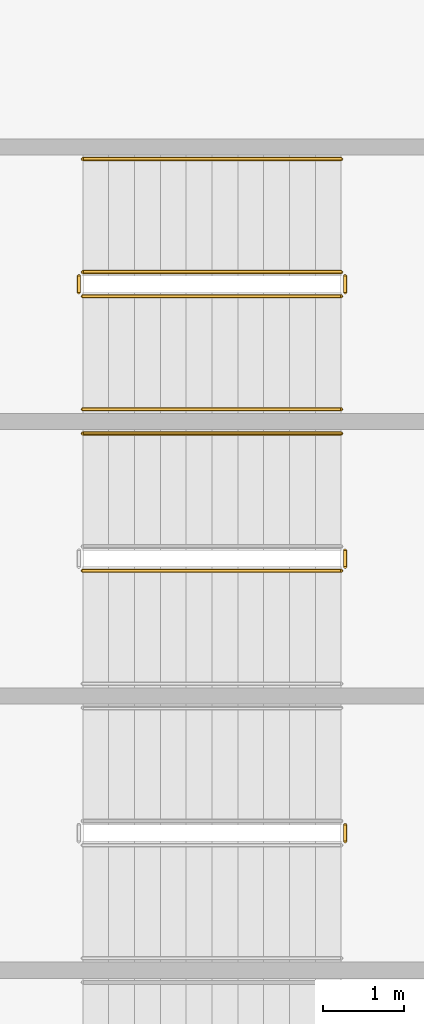
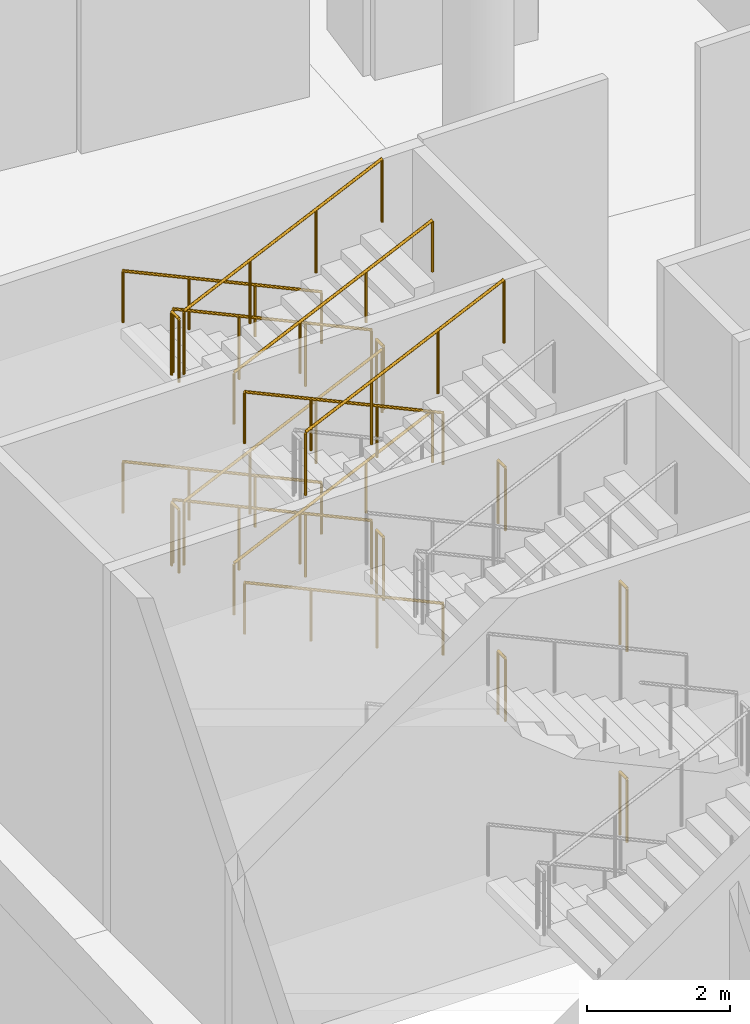
# One storey, part 224 of 255: 19 railings.
"""IFC4 building model written with IfcOpenShell, lengths in metres."""

from ifc_helpers import new_model, si_unit, direction, frame, origin, origin_2d, place, context, subcontext, project, spatial, circle, extrude, material, type_object, element, save


model = new_model("IFC4")

# Units and contexts
model_context = context("Model", 3, precision=1e-05, world=origin(), true_north=direction((0.0, 1.0)))
body_context = subcontext(model_context, "Body", "Model", "MODEL_VIEW")
ifc_project = project(units=[si_unit("LENGTHUNIT", "METRE"), si_unit("AREAUNIT", "SQUARE_METRE"), si_unit("VOLUMEUNIT", "CUBIC_METRE"), si_unit("PLANEANGLEUNIT", "RADIAN"), si_unit("MASSUNIT", "GRAM", prefix="KILO")], contexts=[model_context])

# Site, building, storey
site_placement = place(None, origin())
site = spatial("IfcSite", under=ifc_project, at=site_placement, CompositionType="ELEMENT")
building_placement = place(site_placement, origin())
building = spatial("IfcBuilding", under=site, at=building_placement, Name="Meseta Stadium", CompositionType="ELEMENT")
storey_placement = place(building_placement, origin())
storey = spatial("IfcBuildingStorey", under=building, at=storey_placement, Name="L00", CompositionType="ELEMENT", Elevation=0.0)

# Railings
ifc_material_1 = material(Name="Steel S355", Category="steel")
railing_type_1 = type_object("IfcRailingType", Name="Stair guard 1100", PredefinedType="GUARDRAIL", material=ifc_material_1)
railing_1_placement = place(storey_placement, frame((-90.300048828125, 36.5, 0.147705078125)))
element("IfcRailing", 1, at=railing_1_placement, inside=storey, type_object=railing_type_1, Name="ST61 L00 guard 1", PredefinedType="GUARDRAIL", context=body_context, shape_type="SweptSolid", body=[
    extrude(circle(Radius=0.02392578125, at=origin_2d()), frame((0.0, 0.0, 1.076171875), z_axis=(-0.907916804346, 0.0, 0.419150422148), x_axis=(0.0, -1.0, 0.0)), (0.0, 0.0, 1.0), 3.5244140625),
    extrude(circle(Radius=0.02099609375, at=origin_2d()), origin(), (0.0, 0.0, 1.0), 1.052001953125),
    extrude(circle(Radius=0.02099609375, at=origin_2d()), frame((-1.066650390625, 0.0, 0.492431640625)), (0.0, 0.0, 1.0), 1.052001953125),
    extrude(circle(Radius=0.02099609375, at=origin_2d()), frame((-2.13330078125, 0.0, 0.98486328125)), (0.0, 0.0, 1.0), 1.052001953125),
    extrude(circle(Radius=0.02099609375, at=origin_2d()), frame((-3.199951171875, 0.0, 1.477294921875)), (0.0, 0.0, 1.0), 1.052001953125),
])
railing_2_placement = place(storey_placement, frame((-93.550048828125, 36.449951171875, 1.625)))
element("IfcRailing", 2, at=railing_2_placement, inside=storey, type_object=railing_type_1, Name="ST61 L00 guard 2", PredefinedType="GUARDRAIL", context=body_context, shape_type="SweptSolid", body=[
    extrude(circle(Radius=0.02392578125, at=origin_2d()), frame((0.0, 0.0, 1.076171875), z_axis=(0.0, -1.0, 0.0), x_axis=(1.0, 0.0, 0.0)), (0.0, 0.0, 1.0), 0.199951171875),
    extrude(circle(Radius=0.02099609375, at=origin_2d()), origin(), (0.0, 0.0, 1.0), 1.052001953125),
    extrude(circle(Radius=0.02099609375, at=origin_2d()), frame((0.0, -0.199951171875, 0.0)), (0.0, 0.0, 1.0), 1.052001953125),
])
railing_3_placement = place(storey_placement, frame((-93.5, 36.199951171875, 1.772705078125)))
element("IfcRailing", 3, at=railing_3_placement, inside=storey, type_object=railing_type_1, Name="ST61 L00 guard 3", PredefinedType="GUARDRAIL", context=body_context, shape_type="SweptSolid", body=[
    extrude(circle(Radius=0.02392578125, at=origin_2d()), frame((0.0, 0.0, 1.076171875), z_axis=(0.907916804346, 0.0, 0.419150422148), x_axis=(0.0, 1.0, 0.0)), (0.0, 0.0, 1.0), 3.5244140625),
    extrude(circle(Radius=0.02099609375, at=origin_2d()), origin(), (0.0, 0.0, 1.0), 1.052001953125),
    extrude(circle(Radius=0.02099609375, at=origin_2d()), frame((1.066650390625, 0.0, 0.492431640625)), (0.0, 0.0, 1.0), 1.052001953125),
    extrude(circle(Radius=0.02099609375, at=origin_2d()), frame((2.13330078125, 0.0, 0.98486328125)), (0.0, 0.0, 1.0), 1.052001953125),
    extrude(circle(Radius=0.02099609375, at=origin_2d()), frame((3.199951171875, 0.0, 1.477294921875)), (0.0, 0.0, 1.0), 1.052001953125),
])
railing_4_placement = place(storey_placement, frame((-90.25, 36.449951171875, 3.25)))
element("IfcRailing", 4, at=railing_4_placement, inside=storey, type_object=railing_type_1, Name="ST61 L00 guard 4", PredefinedType="GUARDRAIL", context=body_context, shape_type="SweptSolid", body=[
    extrude(circle(Radius=0.02392578125, at=origin_2d()), frame((0.0, 0.0, 1.076171875), z_axis=(0.0, -1.0, 0.0), x_axis=(1.0, 0.0, 0.0)), (0.0, 0.0, 1.0), 0.199951171875),
    extrude(circle(Radius=0.02099609375, at=origin_2d()), origin(), (0.0, 0.0, 1.0), 1.052001953125),
    extrude(circle(Radius=0.02099609375, at=origin_2d()), frame((0.0, -0.199951171875, 0.0)), (0.0, 0.0, 1.0), 1.052001953125),
])
railing_5_placement = place(storey_placement, frame((-90.300048828125, 36.5, 3.397705078125)))
element("IfcRailing", 5, at=railing_5_placement, inside=storey, type_object=railing_type_1, Name="ST61 L00 guard 5", PredefinedType="GUARDRAIL", context=body_context, shape_type="SweptSolid", body=[
    extrude(circle(Radius=0.02392578125, at=origin_2d()), frame((0.0, 0.0, 1.076171875), z_axis=(-0.907916804346, 0.0, 0.419150422148), x_axis=(0.0, -1.0, 0.0)), (0.0, 0.0, 1.0), 3.5244140625),
    extrude(circle(Radius=0.02099609375, at=origin_2d()), origin(), (0.0, 0.0, 1.0), 1.052001953125),
    extrude(circle(Radius=0.02099609375, at=origin_2d()), frame((-1.066650390625, 0.0, 0.492431640625)), (0.0, 0.0, 1.0), 1.052001953125),
    extrude(circle(Radius=0.02099609375, at=origin_2d()), frame((-2.13330078125, 0.0, 0.98486328125)), (0.0, 0.0, 1.0), 1.052001953125),
    extrude(circle(Radius=0.02099609375, at=origin_2d()), frame((-3.199951171875, 0.0, 1.477294921875)), (0.0, 0.0, 1.0), 1.052001953125),
])
railing_6_placement = place(storey_placement, frame((-93.550048828125, 36.449951171875, 4.875)))
element("IfcRailing", 6, at=railing_6_placement, inside=storey, type_object=railing_type_1, Name="ST61 L00 guard 6", PredefinedType="GUARDRAIL", context=body_context, shape_type="SweptSolid", body=[
    extrude(circle(Radius=0.02392578125, at=origin_2d()), frame((0.0, 0.0, 1.076171875), z_axis=(0.0, -1.0, 0.0), x_axis=(1.0, 0.0, 0.0)), (0.0, 0.0, 1.0), 0.199951171875),
    extrude(circle(Radius=0.02099609375, at=origin_2d()), origin(), (0.0, 0.0, 1.0), 1.052001953125),
    extrude(circle(Radius=0.02099609375, at=origin_2d()), frame((0.0, -0.199951171875, 0.0)), (0.0, 0.0, 1.0), 1.052001953125),
])
railing_7_placement = place(storey_placement, frame((-93.5, 36.199951171875, 5.022705078125)))
element("IfcRailing", 7, at=railing_7_placement, inside=storey, type_object=railing_type_1, Name="ST61 L00 guard 7", PredefinedType="GUARDRAIL", context=body_context, shape_type="SweptSolid", body=[
    extrude(circle(Radius=0.02392578125, at=origin_2d()), frame((0.0, 0.0, 1.076171875), z_axis=(0.907916804346, 0.0, 0.419150422148), x_axis=(0.0, 1.0, 0.0)), (0.0, 0.0, 1.0), 3.5244140625),
    extrude(circle(Radius=0.02099609375, at=origin_2d()), origin(), (0.0, 0.0, 1.0), 1.052001953125),
    extrude(circle(Radius=0.02099609375, at=origin_2d()), frame((1.066650390625, 0.0, 0.492431640625)), (0.0, 0.0, 1.0), 1.052001953125),
    extrude(circle(Radius=0.02099609375, at=origin_2d()), frame((2.13330078125, 0.0, 0.98486328125)), (0.0, 0.0, 1.0), 1.052001953125),
    extrude(circle(Radius=0.02099609375, at=origin_2d()), frame((3.199951171875, 0.0, 1.477294921875)), (0.0, 0.0, 1.0), 1.052001953125),
])
for number, where, name in (
    (8, (-90.25, 36.449951171875, 0.0), "ST61 L00 guard 8"),
    (9, (-90.25, 33.050048828125, 3.25), "ST62 L00 guard 4"),
):
    element("IfcRailing", number, at=place(storey_placement, frame(where)), inside=storey, type_object=railing_type_1, Name=name, PredefinedType="GUARDRAIL", context=body_context, shape_type="SweptSolid", body=[
        extrude(circle(Radius=0.02392578125, at=origin_2d()), frame((0.0, 0.0, 1.076171875), z_axis=(0.0, -1.0, 0.0), x_axis=(1.0, 0.0, 0.0)), (0.0, 0.0, 1.0), 0.199951171875),
        extrude(circle(Radius=0.02099609375, at=origin_2d()), origin(), (0.0, 0.0, 1.0), 1.052001953125),
        extrude(circle(Radius=0.02099609375, at=origin_2d()), frame((0.0, -0.199951171875, 0.0)), (0.0, 0.0, 1.0), 1.052001953125),
    ])
railing_8_placement = place(storey_placement, frame((-93.5, 32.800048828125, 5.022705078125)))
element("IfcRailing", 10, at=railing_8_placement, inside=storey, type_object=railing_type_1, Name="ST62 L00 guard 7", PredefinedType="GUARDRAIL", context=body_context, shape_type="SweptSolid", body=[
    extrude(circle(Radius=0.02392578125, at=origin_2d()), frame((0.0, 0.0, 1.076171875), z_axis=(0.907916804346, 0.0, 0.419150422148), x_axis=(0.0, 1.0, 0.0)), (0.0, 0.0, 1.0), 3.5244140625),
    extrude(circle(Radius=0.02099609375, at=origin_2d()), origin(), (0.0, 0.0, 1.0), 1.052001953125),
    extrude(circle(Radius=0.02099609375, at=origin_2d()), frame((1.066650390625, 0.0, 0.492431640625)), (0.0, 0.0, 1.0), 1.052001953125),
    extrude(circle(Radius=0.02099609375, at=origin_2d()), frame((2.13330078125, 0.0, 0.98486328125)), (0.0, 0.0, 1.0), 1.052001953125),
    extrude(circle(Radius=0.02099609375, at=origin_2d()), frame((3.199951171875, 0.0, 1.477294921875)), (0.0, 0.0, 1.0), 1.052001953125),
])
for number, where, name in (
    (11, (-90.25, 33.050048828125, 0.0), "ST62 L00 guard 8"),
    (12, (-90.25, 29.64990234375, 3.25), "ST63 L00 guard 4"),
    (13, (-90.25, 29.64990234375, 0.0), "ST63 L00 guard 8"),
):
    element("IfcRailing", number, at=place(storey_placement, frame(where)), inside=storey, type_object=railing_type_1, Name=name, PredefinedType="GUARDRAIL", context=body_context, shape_type="SweptSolid", body=[
        extrude(circle(Radius=0.02392578125, at=origin_2d()), frame((0.0, 0.0, 1.076171875), z_axis=(0.0, -1.0, 0.0), x_axis=(1.0, 0.0, 0.0)), (0.0, 0.0, 1.0), 0.199951171875),
        extrude(circle(Radius=0.02099609375, at=origin_2d()), origin(), (0.0, 0.0, 1.0), 1.052001953125),
        extrude(circle(Radius=0.02099609375, at=origin_2d()), frame((0.0, -0.199951171875, 0.0)), (0.0, 0.0, 1.0), 1.052001953125),
    ])
ifc_material_2 = material(Name="Steel S355", Category="steel")
railing_type_2 = type_object("IfcRailingType", Name="Stair handrail 900", PredefinedType="HANDRAIL", material=ifc_material_2)
railing_9_placement = place(storey_placement, frame((-90.300048828125, 37.89990234375, 0.147705078125)))
element("IfcRailing", 14, at=railing_9_placement, inside=storey, type_object=railing_type_2, Name="ST61 L00 handrail 1", PredefinedType="HANDRAIL", context=body_context, shape_type="SweptSolid", body=[
    extrude(circle(Radius=0.02392578125, at=origin_2d()), frame((0.0, 0.0, 0.8759765625), z_axis=(-0.907916804346, 0.0, 0.419150422148), x_axis=(0.0, -1.0, 0.0)), (0.0, 0.0, 1.0), 3.5244140625),
    extrude(circle(Radius=0.02099609375, at=origin_2d()), origin(), (0.0, 0.0, 1.0), 0.851806640625),
    extrude(circle(Radius=0.02099609375, at=origin_2d()), frame((-1.066650390625, 0.0, 0.492431640625)), (0.0, 0.0, 1.0), 0.851806640625),
    extrude(circle(Radius=0.02099609375, at=origin_2d()), frame((-2.13330078125, 0.0, 0.98486328125)), (0.0, 0.0, 1.0), 0.851806640625),
    extrude(circle(Radius=0.02099609375, at=origin_2d()), frame((-3.199951171875, 0.0, 1.477294921875)), (0.0, 0.0, 1.0), 0.851806640625),
])
railing_10_placement = place(storey_placement, frame((-93.5, 34.800048828125, 1.772705078125)))
element("IfcRailing", 15, at=railing_10_placement, inside=storey, type_object=railing_type_2, Name="ST61 L00 handrail 2", PredefinedType="HANDRAIL", context=body_context, shape_type="SweptSolid", body=[
    extrude(circle(Radius=0.02392578125, at=origin_2d()), frame((0.0, 0.0, 0.8759765625), z_axis=(0.907916804346, 0.0, 0.419150422148), x_axis=(0.0, 1.0, 0.0)), (0.0, 0.0, 1.0), 3.5244140625),
    extrude(circle(Radius=0.02099609375, at=origin_2d()), origin(), (0.0, 0.0, 1.0), 0.851806640625),
    extrude(circle(Radius=0.02099609375, at=origin_2d()), frame((1.066650390625, 0.0, 0.492431640625)), (0.0, 0.0, 1.0), 0.851806640625),
    extrude(circle(Radius=0.02099609375, at=origin_2d()), frame((2.13330078125, 0.0, 0.98486328125)), (0.0, 0.0, 1.0), 0.851806640625),
    extrude(circle(Radius=0.02099609375, at=origin_2d()), frame((3.199951171875, 0.0, 1.477294921875)), (0.0, 0.0, 1.0), 0.851806640625),
])
railing_11_placement = place(storey_placement, frame((-90.300048828125, 37.89990234375, 3.397705078125)))
element("IfcRailing", 16, at=railing_11_placement, inside=storey, type_object=railing_type_2, Name="ST61 L00 handrail 3", PredefinedType="HANDRAIL", context=body_context, shape_type="SweptSolid", body=[
    extrude(circle(Radius=0.02392578125, at=origin_2d()), frame((0.0, 0.0, 0.8759765625), z_axis=(-0.907916804346, 0.0, 0.419150422148), x_axis=(0.0, -1.0, 0.0)), (0.0, 0.0, 1.0), 3.5244140625),
    extrude(circle(Radius=0.02099609375, at=origin_2d()), origin(), (0.0, 0.0, 1.0), 0.851806640625),
    extrude(circle(Radius=0.02099609375, at=origin_2d()), frame((-1.066650390625, 0.0, 0.492431640625)), (0.0, 0.0, 1.0), 0.851806640625),
    extrude(circle(Radius=0.02099609375, at=origin_2d()), frame((-2.13330078125, 0.0, 0.98486328125)), (0.0, 0.0, 1.0), 0.851806640625),
    extrude(circle(Radius=0.02099609375, at=origin_2d()), frame((-3.199951171875, 0.0, 1.477294921875)), (0.0, 0.0, 1.0), 0.851806640625),
])
railing_12_placement = place(storey_placement, frame((-93.5, 34.800048828125, 5.022705078125)))
element("IfcRailing", 17, at=railing_12_placement, inside=storey, type_object=railing_type_2, Name="ST61 L00 handrail 4", PredefinedType="HANDRAIL", context=body_context, shape_type="SweptSolid", body=[
    extrude(circle(Radius=0.02392578125, at=origin_2d()), frame((0.0, 0.0, 0.8759765625), z_axis=(0.907916804346, 0.0, 0.419150422148), x_axis=(0.0, 1.0, 0.0)), (0.0, 0.0, 1.0), 3.5244140625),
    extrude(circle(Radius=0.02099609375, at=origin_2d()), origin(), (0.0, 0.0, 1.0), 0.851806640625),
    extrude(circle(Radius=0.02099609375, at=origin_2d()), frame((1.066650390625, 0.0, 0.492431640625)), (0.0, 0.0, 1.0), 0.851806640625),
    extrude(circle(Radius=0.02099609375, at=origin_2d()), frame((2.13330078125, 0.0, 0.98486328125)), (0.0, 0.0, 1.0), 0.851806640625),
    extrude(circle(Radius=0.02099609375, at=origin_2d()), frame((3.199951171875, 0.0, 1.477294921875)), (0.0, 0.0, 1.0), 0.851806640625),
])
for number, where, name in (
    (18, (-90.300048828125, 34.5, 0.147705078125), "ST62 L00 handrail 1"),
    (19, (-90.300048828125, 34.5, 3.397705078125), "ST62 L00 handrail 3"),
):
    element("IfcRailing", number, at=place(storey_placement, frame(where)), inside=storey, type_object=railing_type_2, Name=name, PredefinedType="HANDRAIL", context=body_context, shape_type="SweptSolid", body=[
        extrude(circle(Radius=0.02392578125, at=origin_2d()), frame((0.0, 0.0, 0.8759765625), z_axis=(-0.907916804346, 0.0, 0.419150422148), x_axis=(0.0, -1.0, 0.0)), (0.0, 0.0, 1.0), 3.5244140625),
        extrude(circle(Radius=0.02099609375, at=origin_2d()), origin(), (0.0, 0.0, 1.0), 0.851806640625),
        extrude(circle(Radius=0.02099609375, at=origin_2d()), frame((-1.066650390625, 0.0, 0.492431640625)), (0.0, 0.0, 1.0), 0.851806640625),
        extrude(circle(Radius=0.02099609375, at=origin_2d()), frame((-2.13330078125, 0.0, 0.98486328125)), (0.0, 0.0, 1.0), 0.851806640625),
        extrude(circle(Radius=0.02099609375, at=origin_2d()), frame((-3.199951171875, 0.0, 1.477294921875)), (0.0, 0.0, 1.0), 0.851806640625),
    ])

save(model, "model.ifc")
